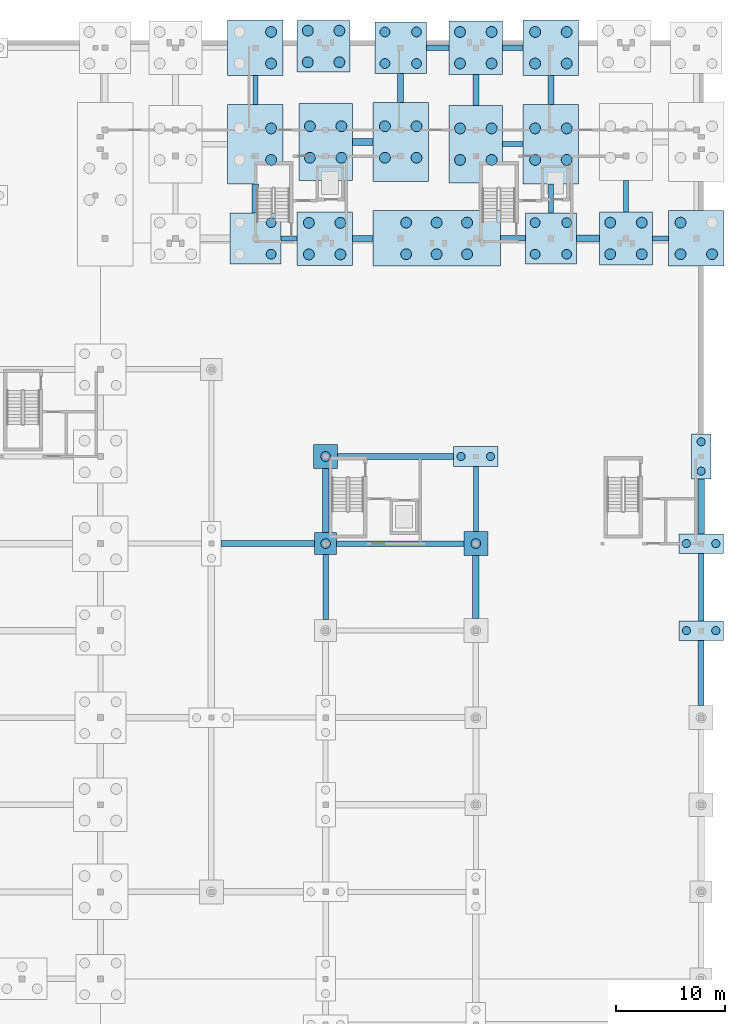
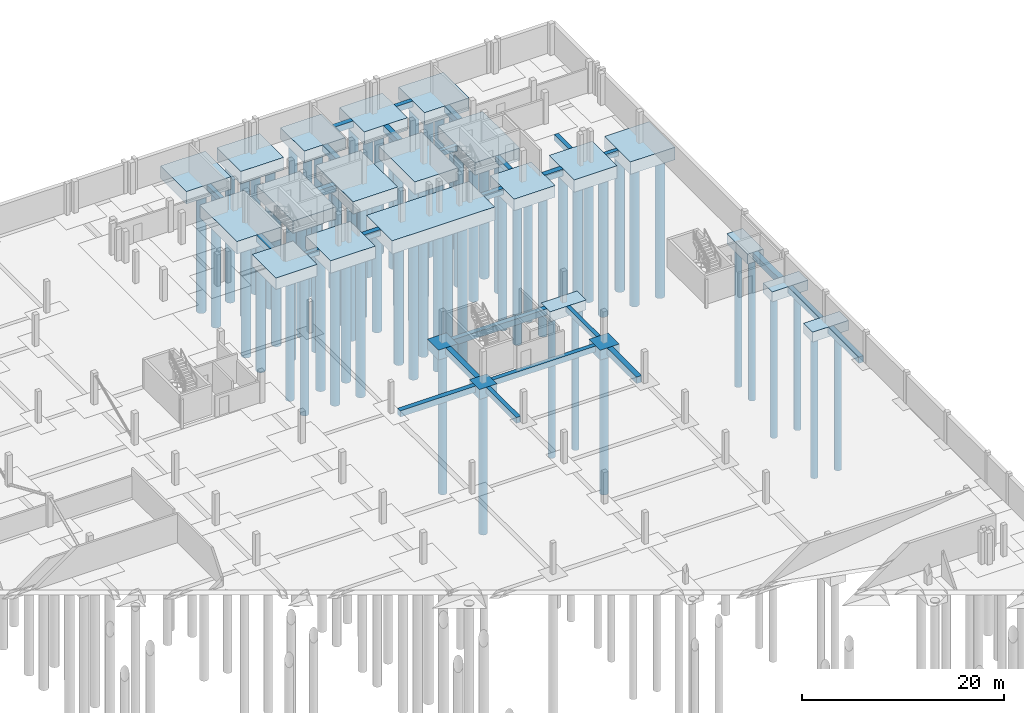
# One storey, part 10 of 38: 70 piles, 49 footings.
"""IFC4 building model written with IfcOpenShell, lengths in metres."""

from ifc_helpers import new_model, si_unit, direction, frame, origin, origin_2d, place, context, subcontext, project, spatial, rectangle, circle, extrude, material, material_profile, profile_set, type_object, element, save


model = new_model("IFC4")

# Units and contexts
model_context = context("Model", 3, precision=1e-05, world=origin(), true_north=direction((0.0, 1.0)))
body_context = subcontext(model_context, "Body", "Model", "MODEL_VIEW")
ifc_project = project(units=[si_unit("LENGTHUNIT", "METRE"), si_unit("AREAUNIT", "SQUARE_METRE"), si_unit("VOLUMEUNIT", "CUBIC_METRE"), si_unit("PLANEANGLEUNIT", "RADIAN"), si_unit("MASSUNIT", "GRAM", prefix="KILO")], contexts=[model_context])

# Site, building, storey
site_placement = place(None, origin())
site = spatial("IfcSite", under=ifc_project, at=site_placement, CompositionType="ELEMENT")
building_placement = place(site_placement, origin())
building = spatial("IfcBuilding", under=site, at=building_placement, Name="Zavelmont Quarter", CompositionType="ELEMENT")
storey_placement = place(building_placement, frame((0.0, 0.0, -3.800048828125)))
storey = spatial("IfcBuildingStorey", under=building, at=storey_placement, Name="B01", CompositionType="ELEMENT", Elevation=-3.800048828125)

# Footings
ifc_material = material(Name="Concrete C35/45", Category="concrete")
footing_type_1 = type_object("IfcFootingType", Name="GB01", PredefinedType="FOOTING_BEAM", material=ifc_material)
footing_1_placement = place(storey_placement, frame((140.35009765625, 70.0, -0.69970703125), z_axis=(0.0, 0.0, 1.0), x_axis=(1.0, 0.0, 0.0)))
element("IfcFooting", 1, at=footing_1_placement, inside=storey, type_object=footing_type_1, Name="B01 ground beam GB01 at 21/L", PredefinedType="FOOTING_BEAM", context=body_context, shape_type="SweptSolid", body=[
    extrude(rectangle(XDim=11.699951171875, YDim=0.5, at=origin_2d()), origin(), (0.0, 0.0, 1.0), 0.699951171875),
])
footing_2_placement = place(storey_placement, frame((150.699951171875, 98.0400390625, -0.69970703125), z_axis=(0.0, 0.0, 1.0), x_axis=(1.0, 0.0, 0.0)))
element("IfcFooting", 2, at=footing_2_placement, inside=storey, type_object=footing_type_1, Name="B01 ground beam GB01 at 22/P", PredefinedType="FOOTING_BEAM", context=body_context, shape_type="SweptSolid", body=[
    extrude(rectangle(XDim=2.300048828125, YDim=0.5, at=origin_2d()), origin(), (0.0, 0.0, 1.0), 0.699951171875),
])
footing_3_placement = place(storey_placement, frame((150.699951171875, 115.56005859375, -0.69970703125), z_axis=(0.0, 0.0, 1.0), x_axis=(1.0, 0.0, 0.0)))
element("IfcFooting", 3, at=footing_3_placement, inside=storey, type_object=footing_type_1, Name="B01 ground beam GB01 at 22/S", PredefinedType="FOOTING_BEAM", context=body_context, shape_type="SweptSolid", body=[
    extrude(rectangle(XDim=1.89990234375, YDim=0.5, at=origin_2d()), origin(), (0.0, 0.0, 1.0), 0.699951171875),
])
footing_4_placement = place(storey_placement, frame((133.5, 66.0, -0.69970703125), z_axis=(0.0, 0.0, 1.0), x_axis=(0.0, 1.0, 0.0)))
element("IfcFooting", 4, at=footing_4_placement, inside=storey, type_object=footing_type_1, Name="B01 ground beam GB01 at 20/K", PredefinedType="FOOTING_BEAM", context=body_context, shape_type="SweptSolid", body=[
    extrude(rectangle(XDim=6.0, YDim=0.5, at=origin_2d()), origin(), (0.0, 0.0, 1.0), 0.699951171875),
])
footing_5_placement = place(storey_placement, frame((161.10009765625, 101.919921875, -0.69970703125), z_axis=(0.0, 0.0, 1.0), x_axis=(0.0, 1.0, 0.0)))
element("IfcFooting", 5, at=footing_5_placement, inside=storey, type_object=footing_type_1, Name="B01 ground beam GB01 at 24/Q", PredefinedType="FOOTING_BEAM", context=body_context, shape_type="SweptSolid", body=[
    extrude(rectangle(XDim=2.860107421875, YDim=0.5, at=origin_2d()), origin(), (0.0, 0.0, 1.0), 0.699951171875),
])
footing_6_placement = place(storey_placement, frame((168.0, 66.0, -0.69970703125), z_axis=(0.0, 0.0, 1.0), x_axis=(0.0, 1.0, 0.0)))
element("IfcFooting", 6, at=footing_6_placement, inside=storey, type_object=footing_type_1, Name="B01 ground beam GB01 at 25/K", PredefinedType="FOOTING_BEAM", context=body_context, shape_type="SweptSolid", body=[
    extrude(rectangle(XDim=6.199951171875, YDim=0.5, at=origin_2d()), origin(), (0.0, 0.0, 1.0), 0.699951171875),
])
footing_type_2 = type_object("IfcFootingType", Name="GB02", PredefinedType="FOOTING_BEAM", material=ifc_material)
footing_7_placement = place(storey_placement, frame((157.60009765625, 98.0400390625, -0.7998046875), z_axis=(0.0, 0.0, 1.0), x_axis=(1.0, 0.0, 0.0)))
element("IfcFooting", 7, at=footing_7_placement, inside=storey, type_object=footing_type_2, Name="B01 ground beam GB02 at 23/P", PredefinedType="FOOTING_BEAM", context=body_context, shape_type="SweptSolid", body=[
    extrude(rectangle(XDim=2.10009765625, YDim=0.60009765625, at=origin_2d()), origin(), (0.0, 0.0, 1.0), 0.800048828125),
])
footing_8_placement = place(storey_placement, frame((136.89990234375, 106.89990234375, -0.7998046875), z_axis=(0.0, 0.0, 1.0), x_axis=(1.0, 0.0, 0.0)))
element("IfcFooting", 8, at=footing_8_placement, inside=storey, type_object=footing_type_2, Name="B01 ground beam GB02 at 20/R", PredefinedType="FOOTING_BEAM", context=body_context, shape_type="SweptSolid", body=[
    extrude(rectangle(XDim=1.89990234375, YDim=0.60009765625, at=origin_2d()), origin(), (0.0, 0.0, 1.0), 0.800048828125),
])
footing_9_placement = place(storey_placement, frame((127.0400390625, 101.719970703125, -0.7998046875), z_axis=(0.0, 0.0, 1.0), x_axis=(0.0, 1.0, 0.0)))
element("IfcFooting", 9, at=footing_9_placement, inside=storey, type_object=footing_type_2, Name="B01 ground beam GB02 at 19/Q", PredefinedType="FOOTING_BEAM", context=body_context, shape_type="SweptSolid", body=[
    extrude(rectangle(XDim=2.659912109375, YDim=0.60009765625, at=origin_2d()), origin(), (0.0, 0.0, 1.0), 0.800048828125),
])
footing_10_placement = place(storey_placement, frame((133.5, 73.949951171875, -0.7998046875), z_axis=(0.0, 0.0, 1.0), x_axis=(0.0, 1.0, 0.0)))
element("IfcFooting", 10, at=footing_10_placement, inside=storey, type_object=footing_type_2, Name="B01 ground beam GB02 at 20/L", PredefinedType="FOOTING_BEAM", context=body_context, shape_type="SweptSolid", body=[
    extrude(rectangle(XDim=5.89990234375, YDim=0.60009765625, at=origin_2d()), origin(), (0.0, 0.0, 1.0), 0.800048828125),
])
footing_11_placement = place(storey_placement, frame((147.300048828125, 66.0, -0.7998046875), z_axis=(0.0, 0.0, 1.0), x_axis=(0.0, 1.0, 0.0)))
element("IfcFooting", 11, at=footing_11_placement, inside=storey, type_object=footing_type_2, Name="B01 ground beam GB02 at 22/K", PredefinedType="FOOTING_BEAM", context=body_context, shape_type="SweptSolid", body=[
    extrude(rectangle(XDim=5.800048828125, YDim=0.60009765625, at=origin_2d()), origin(), (0.0, 0.0, 1.0), 0.800048828125),
])
footing_12_placement = place(storey_placement, frame((168.0, 73.425048828125, -0.7998046875), z_axis=(0.0, 0.0, 1.0), x_axis=(0.0, 1.0, 0.0)))
element("IfcFooting", 12, at=footing_12_placement, inside=storey, type_object=footing_type_2, Name="B01 ground beam GB02 at 25/L", PredefinedType="FOOTING_BEAM", context=body_context, shape_type="SweptSolid", body=[
    extrude(rectangle(XDim=5.050048828125, YDim=0.60009765625, at=origin_2d()), origin(), (0.0, 0.0, 1.0), 0.800048828125),
])
footing_type_3 = type_object("IfcFootingType", Name="GB03", PredefinedType="FOOTING_BEAM", material=ifc_material)
footing_13_placement = place(storey_placement, frame((130.1298828125, 98.030029296875, -0.64990234375), z_axis=(0.0, 0.0, 1.0), x_axis=(1.0, 0.0, 0.0)))
element("IfcFooting", 13, at=footing_13_placement, inside=storey, type_object=footing_type_3, Name="B01 ground beam GB03 at 20/P", PredefinedType="FOOTING_BEAM", context=body_context, shape_type="SweptSolid", body=[
    extrude(rectangle(XDim=1.47998046875, YDim=0.449951171875, at=origin_2d()), origin(), (0.0, 0.0, 1.0), 0.64990234375),
])
footing_14_placement = place(storey_placement, frame((164.280029296875, 98.0400390625, -0.64990234375), z_axis=(0.0, 0.0, 1.0), x_axis=(1.0, 0.0, 0.0)))
element("IfcFooting", 14, at=footing_14_placement, inside=storey, type_object=footing_type_3, Name="B01 ground beam GB03 at 24/P", PredefinedType="FOOTING_BEAM", context=body_context, shape_type="SweptSolid", body=[
    extrude(rectangle(XDim=1.4599609375, YDim=0.449951171875, at=origin_2d()), origin(), (0.0, 0.0, 1.0), 0.64990234375),
])
footing_15_placement = place(storey_placement, frame((150.699951171875, 106.699951171875, -0.64990234375), z_axis=(0.0, 0.0, 1.0), x_axis=(1.0, 0.0, 0.0)))
element("IfcFooting", 15, at=footing_15_placement, inside=storey, type_object=footing_type_3, Name="B01 ground beam GB03 at 22/Q", PredefinedType="FOOTING_BEAM", context=body_context, shape_type="SweptSolid", body=[
    extrude(rectangle(XDim=1.89990234375, YDim=0.449951171875, at=origin_2d()), origin(), (0.0, 0.0, 1.0), 0.64990234375),
])
footing_16_placement = place(storey_placement, frame((127.0400390625, 111.679931640625, -0.64990234375), z_axis=(0.0, 0.0, 1.0), x_axis=(0.0, 1.0, 0.0)))
element("IfcFooting", 16, at=footing_16_placement, inside=storey, type_object=footing_type_3, Name="B01 ground beam GB03 at 19/R", PredefinedType="FOOTING_BEAM", context=body_context, shape_type="SweptSolid", body=[
    extrude(rectangle(XDim=2.659912109375, YDim=0.449951171875, at=origin_2d()), origin(), (0.0, 0.0, 1.0), 0.64990234375),
])
footing_17_placement = place(storey_placement, frame((147.300048828125, 74.10009765625, -0.64990234375), z_axis=(0.0, 0.0, 1.0), x_axis=(0.0, 1.0, 0.0)))
element("IfcFooting", 17, at=footing_17_placement, inside=storey, type_object=footing_type_3, Name="B01 ground beam GB03 at 22/M", PredefinedType="FOOTING_BEAM", context=body_context, shape_type="SweptSolid", body=[
    extrude(rectangle(XDim=6.0, YDim=0.449951171875, at=origin_2d()), origin(), (0.0, 0.0, 1.0), 0.64990234375),
])
footing_18_placement = place(storey_placement, frame((154.199951171875, 101.719970703125, -0.64990234375), z_axis=(0.0, 0.0, 1.0), x_axis=(0.0, 1.0, 0.0)))
element("IfcFooting", 18, at=footing_18_placement, inside=storey, type_object=footing_type_3, Name="B01 ground beam GB03 at 23/Q", PredefinedType="FOOTING_BEAM", context=body_context, shape_type="SweptSolid", body=[
    extrude(rectangle(XDim=2.659912109375, YDim=0.449951171875, at=origin_2d()), origin(), (0.0, 0.0, 1.0), 0.64990234375),
])
footing_type_4 = type_object("IfcFootingType", Name="GB04", PredefinedType="FOOTING_BEAM", material=ifc_material)
footing_19_placement = place(storey_placement, frame((128.199951171875, 70.0, -0.75), z_axis=(0.0, 0.0, 1.0), x_axis=(1.0, 0.0, 0.0)))
element("IfcFooting", 19, at=footing_19_placement, inside=storey, type_object=footing_type_4, Name="B01 ground beam GB04 at 19/L", PredefinedType="FOOTING_BEAM", context=body_context, shape_type="SweptSolid", body=[
    extrude(rectangle(XDim=8.60009765625, YDim=0.550048828125, at=origin_2d()), origin(), (0.0, 0.0, 1.0), 0.75),
])
footing_20_placement = place(storey_placement, frame((139.925048828125, 78.0, -0.75), z_axis=(0.0, 0.0, 1.0), x_axis=(1.0, 0.0, 0.0)))
element("IfcFooting", 20, at=footing_20_placement, inside=storey, type_object=footing_type_4, Name="B01 ground beam GB04 at 21/M", PredefinedType="FOOTING_BEAM", context=body_context, shape_type="SweptSolid", body=[
    extrude(rectangle(XDim=10.64990234375, YDim=0.550048828125, at=origin_2d()), origin(), (0.0, 0.0, 1.0), 0.75),
])
footing_21_placement = place(storey_placement, frame((136.89990234375, 98.030029296875, -0.75), z_axis=(0.0, 0.0, 1.0), x_axis=(1.0, 0.0, 0.0)))
element("IfcFooting", 21, at=footing_21_placement, inside=storey, type_object=footing_type_4, Name="B01 ground beam GB04 at 20/P", PredefinedType="FOOTING_BEAM", context=body_context, shape_type="SweptSolid", body=[
    extrude(rectangle(XDim=1.89990234375, YDim=0.550048828125, at=origin_2d()), origin(), (0.0, 0.0, 1.0), 0.75),
])
footing_22_placement = place(storey_placement, frame((143.800048828125, 115.56005859375, -0.75), z_axis=(0.0, 0.0, 1.0), x_axis=(1.0, 0.0, 0.0)))
element("IfcFooting", 22, at=footing_22_placement, inside=storey, type_object=footing_type_4, Name="B01 ground beam GB04 at 21/S", PredefinedType="FOOTING_BEAM", context=body_context, shape_type="SweptSolid", body=[
    extrude(rectangle(XDim=2.10009765625, YDim=0.550048828125, at=origin_2d()), origin(), (0.0, 0.0, 1.0), 0.75),
])
footing_23_placement = place(storey_placement, frame((140.39990234375, 111.8798828125, -0.75), z_axis=(0.0, 0.0, 1.0), x_axis=(0.0, 1.0, 0.0)))
element("IfcFooting", 23, at=footing_23_placement, inside=storey, type_object=footing_type_4, Name="B01 ground beam GB04 at 21/R", PredefinedType="FOOTING_BEAM", context=body_context, shape_type="SweptSolid", body=[
    extrude(rectangle(XDim=2.659912109375, YDim=0.550048828125, at=origin_2d()), origin(), (0.0, 0.0, 1.0), 0.75),
])
footing_24_placement = place(storey_placement, frame((147.300048828125, 111.679931640625, -0.75), z_axis=(0.0, 0.0, 1.0), x_axis=(0.0, 1.0, 0.0)))
element("IfcFooting", 24, at=footing_24_placement, inside=storey, type_object=footing_type_4, Name="B01 ground beam GB04 at 22/R", PredefinedType="FOOTING_BEAM", context=body_context, shape_type="SweptSolid", body=[
    extrude(rectangle(XDim=2.860107421875, YDim=0.550048828125, at=origin_2d()), origin(), (0.0, 0.0, 1.0), 0.75),
])
footing_25_placement = place(storey_placement, frame((154.199951171875, 111.679931640625, -0.75), z_axis=(0.0, 0.0, 1.0), x_axis=(0.0, 1.0, 0.0)))
element("IfcFooting", 25, at=footing_25_placement, inside=storey, type_object=footing_type_4, Name="B01 ground beam GB04 at 23/R", PredefinedType="FOOTING_BEAM", context=body_context, shape_type="SweptSolid", body=[
    extrude(rectangle(XDim=2.659912109375, YDim=0.550048828125, at=origin_2d()), origin(), (0.0, 0.0, 1.0), 0.75),
])
footing_26_placement = place(storey_placement, frame((168.0, 58.10009765625, -0.75), z_axis=(0.0, 0.0, 1.0), x_axis=(0.0, 1.0, 0.0)))
element("IfcFooting", 26, at=footing_26_placement, inside=storey, type_object=footing_type_4, Name="B01 ground beam GB04 at 25/K", PredefinedType="FOOTING_BEAM", context=body_context, shape_type="SweptSolid", body=[
    extrude(rectangle(XDim=6.0, YDim=0.550048828125, at=origin_2d()), origin(), (0.0, 0.0, 1.0), 0.75),
])

# Piles
ifc_material_profile_1 = material_profile(ifc_material, circle(Radius=0.5, at=origin_2d()), Name="BP1000")
ifc_profile_set_1 = profile_set([ifc_material_profile_1], Name="Concrete C35/45")
pile_type_1 = type_object("IfcPileType", Name="P00", PredefinedType="BORED", material=ifc_profile_set_1)
for number, where, z_axis, x_axis, name in (
    (27, (140.89990234375, 96.590087890625, -1.5), (0.0, 0.0, -1.0), (1.0, 0.0, 0.0), "B01 bored pile P00 under CAP-177.1"),
    (28, (143.699951171875, 96.590087890625, -1.5), (0.0, 0.0, -1.0), (1.0, 0.0, 0.0), "B01 bored pile P00 under CAP-177.2"),
    (29, (146.5, 96.590087890625, -1.5), (0.0, 0.0, -1.0), (1.0, 0.0, 0.0), "B01 bored pile P00 under CAP-177.3"),
    (30, (140.89990234375, 99.489990234375, -1.5), (0.0, 0.0, -1.0), (1.0, 0.0, 0.0), "B01 bored pile P00 under CAP-177.4"),
    (31, (143.699951171875, 99.489990234375, -1.5), (0.0, 0.0, -1.0), (1.0, 0.0, 0.0), "B01 bored pile P00 under CAP-177.5"),
    (32, (146.5, 99.489990234375, -1.5), (0.0, 0.0, -1.0), (1.0, 0.0, 0.0), "B01 bored pile P00 under CAP-177.6"),
):
    element("IfcPile", number, at=place(storey_placement, frame(where, z_axis=z_axis, x_axis=x_axis)), inside=storey, type_object=pile_type_1, Name=name, PredefinedType="BORED", context=body_context, shape_type="SweptSolid", body=[
        extrude(circle(Radius=0.5, at=origin_2d()), origin(), (0.0, 0.0, 1.0), 16.699951171875),
    ])
ifc_material_profile_2 = material_profile(ifc_material, circle(Radius=0.5, at=origin_2d()), Name="BP1000")
ifc_profile_set_2 = profile_set([ifc_material_profile_2], Name="Concrete C35/45")
pile_type_2 = type_object("IfcPileType", Name="P01", PredefinedType="BORED", material=ifc_profile_set_2)
for number, where, z_axis, x_axis, name in (
    (33, (131.9599609375, 96.570068359375, -1.39990234375), (0.0, 0.0, -1.0), (1.0, 0.0, 0.0), "B01 bored pile P01 under CAP-168.1"),
    (34, (134.860107421875, 96.570068359375, -1.39990234375), (0.0, 0.0, -1.0), (1.0, 0.0, 0.0), "B01 bored pile P01 under CAP-168.2"),
    (35, (134.860107421875, 99.469970703125, -1.39990234375), (0.0, 0.0, -1.0), (1.0, 0.0, 0.0), "B01 bored pile P01 under CAP-168.3"),
    (36, (131.9599609375, 99.469970703125, -1.39990234375), (0.0, 0.0, -1.0), (1.0, 0.0, 0.0), "B01 bored pile P01 under CAP-168.4"),
    (37, (159.64990234375, 96.590087890625, -1.39990234375), (0.0, 0.0, -1.0), (1.0, 0.0, 0.0), "B01 bored pile P01 under CAP-179.1"),
    (38, (162.550048828125, 96.590087890625, -1.39990234375), (0.0, 0.0, -1.0), (1.0, 0.0, 0.0), "B01 bored pile P01 under CAP-179.2"),
    (39, (162.550048828125, 99.489990234375, -1.39990234375), (0.0, 0.0, -1.0), (1.0, 0.0, 0.0), "B01 bored pile P01 under CAP-179.3"),
    (40, (159.64990234375, 99.489990234375, -1.39990234375), (0.0, 0.0, -1.0), (1.0, 0.0, 0.0), "B01 bored pile P01 under CAP-179.4"),
    (41, (166.110107421875, 96.590087890625, -1.39990234375), (0.0, 0.0, -1.0), (1.0, 0.0, 0.0), "B01 bored pile P01 under CAP-180.1"),
    (42, (169.010009765625, 96.590087890625, -1.39990234375), (0.0, 0.0, -1.0), (1.0, 0.0, 0.0), "B01 bored pile P01 under CAP-180.2"),
    (43, (166.110107421875, 99.489990234375, -1.39990234375), (0.0, 0.0, -1.0), (1.0, 0.0, 0.0), "B01 bored pile P01 under CAP-180.4"),
    (44, (128.489990234375, 105.25, -1.39990234375), (0.0, 0.0, -1.0), (1.0, 0.0, 0.0), "B01 bored pile P01 under CAP-194.2"),
    (45, (128.489990234375, 108.14990234375, -1.39990234375), (0.0, 0.0, -1.0), (1.0, 0.0, 0.0), "B01 bored pile P01 under CAP-194.3"),
    (46, (145.85009765625, 105.25, -1.39990234375), (0.0, 0.0, -1.0), (1.0, 0.0, 0.0), "B01 bored pile P01 under CAP-195.1"),
    (47, (148.75, 105.25, -1.39990234375), (0.0, 0.0, -1.0), (1.0, 0.0, 0.0), "B01 bored pile P01 under CAP-195.2"),
    (48, (148.75, 108.14990234375, -1.39990234375), (0.0, 0.0, -1.0), (1.0, 0.0, 0.0), "B01 bored pile P01 under CAP-195.3"),
    (49, (145.85009765625, 108.14990234375, -1.39990234375), (0.0, 0.0, -1.0), (1.0, 0.0, 0.0), "B01 bored pile P01 under CAP-195.4"),
    (50, (152.75, 105.25, -1.39990234375), (0.0, 0.0, -1.0), (1.0, 0.0, 0.0), "B01 bored pile P01 under CAP-196.1"),
    (51, (155.64990234375, 105.25, -1.39990234375), (0.0, 0.0, -1.0), (1.0, 0.0, 0.0), "B01 bored pile P01 under CAP-196.2"),
    (52, (155.64990234375, 108.14990234375, -1.39990234375), (0.0, 0.0, -1.0), (1.0, 0.0, 0.0), "B01 bored pile P01 under CAP-196.3"),
    (53, (152.75, 108.14990234375, -1.39990234375), (0.0, 0.0, -1.0), (1.0, 0.0, 0.0), "B01 bored pile P01 under CAP-196.4"),
    (54, (132.050048828125, 105.449951171875, -1.39990234375), (0.0, 0.0, -1.0), (1.0, 0.0, 0.0), "B01 bored pile P01 under CAP-202.1"),
    (55, (134.949951171875, 105.449951171875, -1.39990234375), (0.0, 0.0, -1.0), (1.0, 0.0, 0.0), "B01 bored pile P01 under CAP-202.2"),
    (56, (134.949951171875, 108.35009765625, -1.39990234375), (0.0, 0.0, -1.0), (1.0, 0.0, 0.0), "B01 bored pile P01 under CAP-202.3"),
    (57, (132.050048828125, 108.35009765625, -1.39990234375), (0.0, 0.0, -1.0), (1.0, 0.0, 0.0), "B01 bored pile P01 under CAP-202.4"),
    (58, (138.949951171875, 105.449951171875, -1.39990234375), (0.0, 0.0, -1.0), (1.0, 0.0, 0.0), "B01 bored pile P01 under CAP-203.1"),
    (59, (141.85009765625, 105.449951171875, -1.39990234375), (0.0, 0.0, -1.0), (1.0, 0.0, 0.0), "B01 bored pile P01 under CAP-203.2"),
    (60, (141.85009765625, 108.35009765625, -1.39990234375), (0.0, 0.0, -1.0), (1.0, 0.0, 0.0), "B01 bored pile P01 under CAP-203.3"),
    (61, (138.949951171875, 108.35009765625, -1.39990234375), (0.0, 0.0, -1.0), (1.0, 0.0, 0.0), "B01 bored pile P01 under CAP-203.4"),
    (62, (128.489990234375, 114.110107421875, -1.39990234375), (0.0, 0.0, -1.0), (1.0, 0.0, 0.0), "B01 bored pile P01 under CAP-221.2"),
    (63, (128.489990234375, 117.010009765625, -1.39990234375), (0.0, 0.0, -1.0), (1.0, 0.0, 0.0), "B01 bored pile P01 under CAP-221.3"),
    (64, (145.85009765625, 114.110107421875, -1.39990234375), (0.0, 0.0, -1.0), (1.0, 0.0, 0.0), "B01 bored pile P01 under CAP-223.1"),
    (65, (148.75, 114.110107421875, -1.39990234375), (0.0, 0.0, -1.0), (1.0, 0.0, 0.0), "B01 bored pile P01 under CAP-223.2"),
    (66, (148.75, 117.010009765625, -1.39990234375), (0.0, 0.0, -1.0), (1.0, 0.0, 0.0), "B01 bored pile P01 under CAP-223.3"),
    (67, (145.85009765625, 117.010009765625, -1.39990234375), (0.0, 0.0, -1.0), (1.0, 0.0, 0.0), "B01 bored pile P01 under CAP-223.4"),
    (68, (152.75, 114.110107421875, -1.39990234375), (0.0, 0.0, -1.0), (1.0, 0.0, 0.0), "B01 bored pile P01 under CAP-224.1"),
    (69, (155.64990234375, 114.110107421875, -1.39990234375), (0.0, 0.0, -1.0), (1.0, 0.0, 0.0), "B01 bored pile P01 under CAP-224.2"),
    (70, (155.64990234375, 117.010009765625, -1.39990234375), (0.0, 0.0, -1.0), (1.0, 0.0, 0.0), "B01 bored pile P01 under CAP-224.3"),
    (71, (152.75, 117.010009765625, -1.39990234375), (0.0, 0.0, -1.0), (1.0, 0.0, 0.0), "B01 bored pile P01 under CAP-224.4"),
    (72, (131.860107421875, 114.22998046875, -1.39990234375), (0.0, 0.0, -1.0), (1.0, 0.0, 0.0), "B01 bored pile P01 under CAP-226.1"),
    (73, (134.760009765625, 114.22998046875, -1.39990234375), (0.0, 0.0, -1.0), (1.0, 0.0, 0.0), "B01 bored pile P01 under CAP-226.2"),
    (74, (134.760009765625, 117.1298828125, -1.39990234375), (0.0, 0.0, -1.0), (1.0, 0.0, 0.0), "B01 bored pile P01 under CAP-226.3"),
    (75, (131.860107421875, 117.1298828125, -1.39990234375), (0.0, 0.0, -1.0), (1.0, 0.0, 0.0), "B01 bored pile P01 under CAP-226.4"),
):
    element("IfcPile", number, at=place(storey_placement, frame(where, z_axis=z_axis, x_axis=x_axis)), inside=storey, type_object=pile_type_2, Name=name, PredefinedType="BORED", context=body_context, shape_type="SweptSolid", body=[
        extrude(circle(Radius=0.5, at=origin_2d()), origin(), (0.0, 0.0, 1.0), 16.800048828125),
    ])
ifc_material_profile_3 = material_profile(ifc_material, circle(Radius=0.449951171875, at=origin_2d()), Name="BP900")
ifc_profile_set_3 = profile_set([ifc_material_profile_3], Name="Concrete C35/45")
pile_type_3 = type_object("IfcPileType", Name="P02", PredefinedType="BORED", material=ifc_profile_set_3)
for number, where, z_axis, x_axis, name in (
    (76, (128.489990234375, 96.590087890625, -1.300048828125), (0.0, 0.0, -1.0), (1.0, 0.0, 0.0), "B01 bored pile P02 under CAP-176.2"),
    (77, (128.489990234375, 99.489990234375, -1.300048828125), (0.0, 0.0, -1.0), (1.0, 0.0, 0.0), "B01 bored pile P02 under CAP-176.3"),
    (78, (152.75, 96.590087890625, -1.300048828125), (0.0, 0.0, -1.0), (1.0, 0.0, 0.0), "B01 bored pile P02 under CAP-178.1"),
    (79, (155.64990234375, 96.590087890625, -1.300048828125), (0.0, 0.0, -1.0), (1.0, 0.0, 0.0), "B01 bored pile P02 under CAP-178.2"),
    (80, (155.64990234375, 99.489990234375, -1.300048828125), (0.0, 0.0, -1.0), (1.0, 0.0, 0.0), "B01 bored pile P02 under CAP-178.3"),
    (81, (152.75, 99.489990234375, -1.300048828125), (0.0, 0.0, -1.0), (1.0, 0.0, 0.0), "B01 bored pile P02 under CAP-178.4"),
    (82, (138.949951171875, 114.110107421875, -1.300048828125), (0.0, 0.0, -1.0), (1.0, 0.0, 0.0), "B01 bored pile P02 under CAP-222.1"),
    (83, (141.85009765625, 114.110107421875, -1.300048828125), (0.0, 0.0, -1.0), (1.0, 0.0, 0.0), "B01 bored pile P02 under CAP-222.2"),
    (84, (141.85009765625, 117.010009765625, -1.300048828125), (0.0, 0.0, -1.0), (1.0, 0.0, 0.0), "B01 bored pile P02 under CAP-222.3"),
    (85, (138.949951171875, 117.010009765625, -1.300048828125), (0.0, 0.0, -1.0), (1.0, 0.0, 0.0), "B01 bored pile P02 under CAP-222.4"),
):
    element("IfcPile", number, at=place(storey_placement, frame(where, z_axis=z_axis, x_axis=x_axis)), inside=storey, type_object=pile_type_3, Name=name, PredefinedType="BORED", context=body_context, shape_type="SweptSolid", body=[
        extrude(circle(Radius=0.449951171875, at=origin_2d()), origin(), (0.0, 0.0, 1.0), 16.89990234375),
    ])
ifc_material_profile_4 = material_profile(ifc_material, circle(Radius=0.449951171875, at=origin_2d()), Name="BP900")
ifc_profile_set_4 = profile_set([ifc_material_profile_4], Name="Concrete C35/45")
pile_type_4 = type_object("IfcPileType", Name="P04", PredefinedType="BORED", material=ifc_profile_set_4)
for number, where, z_axis, x_axis, name in (
    (86, (133.5, 70.0, -1.099853515625), (0.0, 0.0, -1.0), (1.0, 0.0, 0.0), "B01 bored pile P04 under CAP-130.1"),
    (87, (147.300048828125, 70.0, -1.099853515625), (0.0, 0.0, -1.0), (1.0, 0.0, 0.0), "B01 bored pile P04 under CAP-131.1"),
    (88, (133.5, 78.0, -1.099853515625), (0.0, 0.0, -1.0), (1.0, 0.0, 0.0), "B01 bored pile P04 under CAP-144.1"),
):
    element("IfcPile", number, at=place(storey_placement, frame(where, z_axis=z_axis, x_axis=x_axis)), inside=storey, type_object=pile_type_4, Name=name, PredefinedType="BORED", context=body_context, shape_type="SweptSolid", body=[
        extrude(circle(Radius=0.449951171875, at=origin_2d()), origin(), (0.0, 0.0, 1.0), 17.10009765625),
    ])
ifc_material_profile_5 = material_profile(ifc_material, circle(Radius=0.375, at=origin_2d()), Name="BP750")
ifc_profile_set_5 = profile_set([ifc_material_profile_5], Name="Concrete C35/45")
pile_type_5 = type_object("IfcPileType", Name="P05", PredefinedType="BORED", material=ifc_profile_set_5)
for number, where, z_axis, x_axis, name in (
    (89, (166.64990234375, 62.0, -1.099853515625), (0.0, 0.0, -1.0), (1.0, 0.0, 0.0), "B01 bored pile P05 under CAP-119.1"),
    (90, (169.35009765625, 62.0, -1.099853515625), (0.0, 0.0, -1.0), (1.0, 0.0, 0.0), "B01 bored pile P05 under CAP-119.2"),
    (91, (166.64990234375, 70.0, -1.099853515625), (0.0, 0.0, -1.0), (1.0, 0.0, 0.0), "B01 bored pile P05 under CAP-132.1"),
    (92, (169.35009765625, 70.0, -1.099853515625), (0.0, 0.0, -1.0), (1.0, 0.0, 0.0), "B01 bored pile P05 under CAP-132.2"),
    (93, (145.949951171875, 78.0, -1.099853515625), (0.0, 0.0, -1.0), (1.0, 0.0, 0.0), "B01 bored pile P05 under CAP-145.1"),
    (94, (148.64990234375, 78.0, -1.099853515625), (0.0, 0.0, -1.0), (1.0, 0.0, 0.0), "B01 bored pile P05 under CAP-145.2"),
    (95, (168.0, 76.64990234375, -1.099853515625), (0.0, 0.0, -1.0), (1.0, 0.0, 0.0), "B01 bored pile P05 under CAP-146.1"),
    (96, (168.0, 79.35009765625, -1.099853515625), (0.0, 0.0, -1.0), (1.0, 0.0, 0.0), "B01 bored pile P05 under CAP-146.2"),
):
    element("IfcPile", number, at=place(storey_placement, frame(where, z_axis=z_axis, x_axis=x_axis)), inside=storey, type_object=pile_type_5, Name=name, PredefinedType="BORED", context=body_context, shape_type="SweptSolid", body=[
        extrude(circle(Radius=0.375, at=origin_2d()), origin(), (0.0, 0.0, 1.0), 17.10009765625),
    ])

# Footings
footing_type_5 = type_object("IfcFootingType", Name="PC03", PredefinedType="PILE_CAP", material=ifc_material)
footing_27_placement = place(storey_placement, frame((133.5, 70.0, -1.19970703125), z_axis=(0.0, 0.0, 1.0), x_axis=(1.0, 0.0, 0.0)))
element("IfcFooting", 97, at=footing_27_placement, inside=storey, type_object=footing_type_5, Name="B01 pile cap PC03 at 20/L", PredefinedType="PILE_CAP", context=body_context, shape_type="SweptSolid", body=[
    extrude(rectangle(XDim=2.0, YDim=2.0, at=origin_2d()), origin(), (0.0, 0.0, 1.0), 1.199951171875),
])
footing_type_6 = type_object("IfcFootingType", Name="PC04", PredefinedType="PILE_CAP", material=ifc_material)
for number, where, z_axis, x_axis, name in (
    (98, (147.300048828125, 70.0, -1.19970703125), (0.0, 0.0, 1.0), (1.0, 0.0, 0.0), "B01 pile cap PC04 at 22/L"),
    (99, (133.5, 78.0, -1.19970703125), (0.0, 0.0, 1.0), (1.0, 0.0, 0.0), "B01 pile cap PC04 at 20/M"),
):
    element("IfcFooting", number, at=place(storey_placement, frame(where, z_axis=z_axis, x_axis=x_axis)), inside=storey, type_object=footing_type_6, Name=name, PredefinedType="PILE_CAP", context=body_context, shape_type="SweptSolid", body=[
        extrude(rectangle(XDim=2.199951171875, YDim=2.199951171875, at=origin_2d()), origin(), (0.0, 0.0, 1.0), 1.199951171875),
    ])
footing_type_7 = type_object("IfcFootingType", Name="PC05", PredefinedType="PILE_CAP", material=ifc_material)
for number, where, z_axis, x_axis, name in (
    (100, (168.0, 62.0, -1.19970703125), (0.0, 0.0, 1.0), (1.0, 0.0, 0.0), "B01 pile cap PC05 at 25/K"),
    (101, (168.0, 70.0, -1.19970703125), (0.0, 0.0, 1.0), (1.0, 0.0, 0.0), "B01 pile cap PC05 at 25/L"),
    (102, (147.300048828125, 78.0, -1.19970703125), (0.0, 0.0, 1.0), (1.0, 0.0, 0.0), "B01 pile cap PC05 at 22/M"),
):
    element("IfcFooting", number, at=place(storey_placement, frame(where, z_axis=z_axis, x_axis=x_axis)), inside=storey, type_object=footing_type_7, Name=name, PredefinedType="PILE_CAP", context=body_context, shape_type="SweptSolid", body=[
        extrude(rectangle(XDim=4.10009765625, YDim=1.800048828125, at=origin_2d()), origin(), (0.0, 0.0, 1.0), 1.199951171875),
    ])
footing_type_8 = type_object("IfcFootingType", Name="PC06", PredefinedType="PILE_CAP", material=ifc_material)
footing_28_placement = place(storey_placement, frame((168.0, 78.0, -1.19970703125), z_axis=(0.0, 0.0, 1.0), x_axis=(1.0, 0.0, 0.0)))
element("IfcFooting", 103, at=footing_28_placement, inside=storey, type_object=footing_type_8, Name="B01 pile cap PC06 at 25/M", PredefinedType="PILE_CAP", context=body_context, shape_type="SweptSolid", body=[
    extrude(rectangle(XDim=1.800048828125, YDim=4.10009765625, at=origin_2d()), origin(), (0.0, 0.0, 1.0), 1.199951171875),
])
footing_type_9 = type_object("IfcFootingType", Name="PC13", PredefinedType="PILE_CAP", material=ifc_material)
for number, where, z_axis, x_axis, name in (
    (104, (127.0400390625, 98.0400390625, -1.39990234375), (0.0, 0.0, 1.0), (1.0, 0.0, 0.0), "B01 pile cap PC13 at 19/P"),
    (105, (154.199951171875, 98.0400390625, -1.39990234375), (0.0, 0.0, 1.0), (1.0, 0.0, 0.0), "B01 pile cap PC13 at 23/P"),
    (106, (140.39990234375, 115.56005859375, -1.39990234375), (0.0, 0.0, 1.0), (1.0, 0.0, 0.0), "B01 pile cap PC13 at 21/S"),
):
    element("IfcFooting", number, at=place(storey_placement, frame(where, z_axis=z_axis, x_axis=x_axis)), inside=storey, type_object=footing_type_9, Name=name, PredefinedType="PILE_CAP", context=body_context, shape_type="SweptSolid", body=[
        extrude(rectangle(XDim=4.699951171875, YDim=4.699951171875, at=origin_2d()), origin(), (0.0, 0.0, 1.0), 1.39990234375),
    ])
footing_type_10 = type_object("IfcFootingType", Name="PC15", PredefinedType="PILE_CAP", material=ifc_material)
for number, where, z_axis, x_axis, name in (
    (107, (167.56005859375, 98.0400390625, -1.5), (0.0, 0.0, 1.0), (1.0, 0.0, 0.0), "B01 pile cap PC15 at 25/P"),
    (108, (127.0400390625, 115.56005859375, -1.5), (0.0, 0.0, 1.0), (1.0, 0.0, 0.0), "B01 pile cap PC15 at 19/S"),
    (109, (154.199951171875, 115.56005859375, -1.5), (0.0, 0.0, 1.0), (1.0, 0.0, 0.0), "B01 pile cap PC15 at 23/S"),
):
    element("IfcFooting", number, at=place(storey_placement, frame(where, z_axis=z_axis, x_axis=x_axis)), inside=storey, type_object=footing_type_10, Name=name, PredefinedType="PILE_CAP", context=body_context, shape_type="SweptSolid", body=[
        extrude(rectangle(XDim=5.10009765625, YDim=5.10009765625, at=origin_2d()), origin(), (0.0, 0.0, 1.0), 1.5),
    ])
footing_type_11 = type_object("IfcFootingType", Name="PCC1170X510", PredefinedType="PILE_CAP", material=ifc_material)
footing_29_placement = place(storey_placement, frame((143.699951171875, 98.0400390625, -1.60009765625), z_axis=(0.0, 0.0, 1.0), x_axis=(1.0, 0.0, 0.0)))
element("IfcFooting", 110, at=footing_29_placement, inside=storey, type_object=footing_type_11, Name="B01 pile cap PCC1170X510 at 21/P", PredefinedType="PILE_CAP", context=body_context, shape_type="SweptSolid", body=[
    extrude(rectangle(XDim=11.699951171875, YDim=5.10009765625, at=origin_2d()), origin(), (0.0, 0.0, 1.0), 1.60009765625),
])
footing_type_12 = type_object("IfcFootingType", Name="PCC488X474", PredefinedType="PILE_CAP", material=ifc_material)
footing_30_placement = place(storey_placement, frame((133.31005859375, 115.679931640625, -1.5), z_axis=(0.0, 0.0, 1.0), x_axis=(1.0, 0.0, 0.0)))
element("IfcFooting", 111, at=footing_30_placement, inside=storey, type_object=footing_type_12, Name="B01 pile cap PCC488X474 at 20/S", PredefinedType="PILE_CAP", context=body_context, shape_type="SweptSolid", body=[
    extrude(rectangle(XDim=4.8798828125, YDim=4.739990234375, at=origin_2d()), origin(), (0.0, 0.0, 1.0), 1.5),
])
footing_type_13 = type_object("IfcFootingType", Name="PCC490X490", PredefinedType="PILE_CAP", material=ifc_material)
for number, where, z_axis, x_axis, name in (
    (112, (161.10009765625, 98.0400390625, -1.5), (0.0, 0.0, 1.0), (1.0, 0.0, 0.0), "B01 pile cap PCC490X490 at 24/P"),
    (113, (147.300048828125, 115.56005859375, -1.5), (0.0, 0.0, 1.0), (1.0, 0.0, 0.0), "B01 pile cap PCC490X490 at 22/S"),
):
    element("IfcFooting", number, at=place(storey_placement, frame(where, z_axis=z_axis, x_axis=x_axis)), inside=storey, type_object=footing_type_13, Name=name, PredefinedType="PILE_CAP", context=body_context, shape_type="SweptSolid", body=[
        extrude(rectangle(XDim=4.89990234375, YDim=4.89990234375, at=origin_2d()), origin(), (0.0, 0.0, 1.0), 1.5),
    ])
footing_type_14 = type_object("IfcFootingType", Name="PCC490X710", PredefinedType="PILE_CAP", material=ifc_material)
for number, where, z_axis, x_axis, name in (
    (114, (147.300048828125, 106.699951171875, -1.5), (0.0, 0.0, 1.0), (1.0, 0.0, 0.0), "B01 pile cap PCC490X710 at 22/Q"),
    (115, (133.5, 106.89990234375, -1.5), (0.0, 0.0, 1.0), (1.0, 0.0, 0.0), "B01 pile cap PCC490X710 at 20/R"),
):
    element("IfcFooting", number, at=place(storey_placement, frame(where, z_axis=z_axis, x_axis=x_axis)), inside=storey, type_object=footing_type_14, Name=name, PredefinedType="PILE_CAP", context=body_context, shape_type="SweptSolid", body=[
        extrude(rectangle(XDim=4.89990234375, YDim=7.10009765625, at=origin_2d()), origin(), (0.0, 0.0, 1.0), 1.5),
    ])
footing_type_15 = type_object("IfcFootingType", Name="PCC508X494", PredefinedType="PILE_CAP", material=ifc_material)
footing_31_placement = place(storey_placement, frame((133.409912109375, 98.02001953125, -1.5), z_axis=(0.0, 0.0, 1.0), x_axis=(1.0, 0.0, 0.0)))
element("IfcFooting", 116, at=footing_31_placement, inside=storey, type_object=footing_type_15, Name="B01 pile cap PCC508X494 at 20/P", PredefinedType="PILE_CAP", context=body_context, shape_type="SweptSolid", body=[
    extrude(rectangle(XDim=5.080078125, YDim=4.93994140625, at=origin_2d()), origin(), (0.0, 0.0, 1.0), 1.5),
])
footing_type_16 = type_object("IfcFootingType", Name="PCC510X730", PredefinedType="PILE_CAP", material=ifc_material)
for number, where, z_axis, x_axis, name in (
    (117, (127.0400390625, 106.699951171875, -1.5), (0.0, 0.0, 1.0), (1.0, 0.0, 0.0), "B01 pile cap PCC510X730 at 19/Q"),
    (118, (154.199951171875, 106.699951171875, -1.5), (0.0, 0.0, 1.0), (1.0, 0.0, 0.0), "B01 pile cap PCC510X730 at 23/Q"),
    (119, (140.39990234375, 106.89990234375, -1.5), (0.0, 0.0, 1.0), (1.0, 0.0, 0.0), "B01 pile cap PCC510X730 at 21/R"),
):
    element("IfcFooting", number, at=place(storey_placement, frame(where, z_axis=z_axis, x_axis=x_axis)), inside=storey, type_object=footing_type_16, Name=name, PredefinedType="PILE_CAP", context=body_context, shape_type="SweptSolid", body=[
        extrude(rectangle(XDim=5.10009765625, YDim=7.300048828125, at=origin_2d()), origin(), (0.0, 0.0, 1.0), 1.5),
    ])

save(model, "model.ifc")
